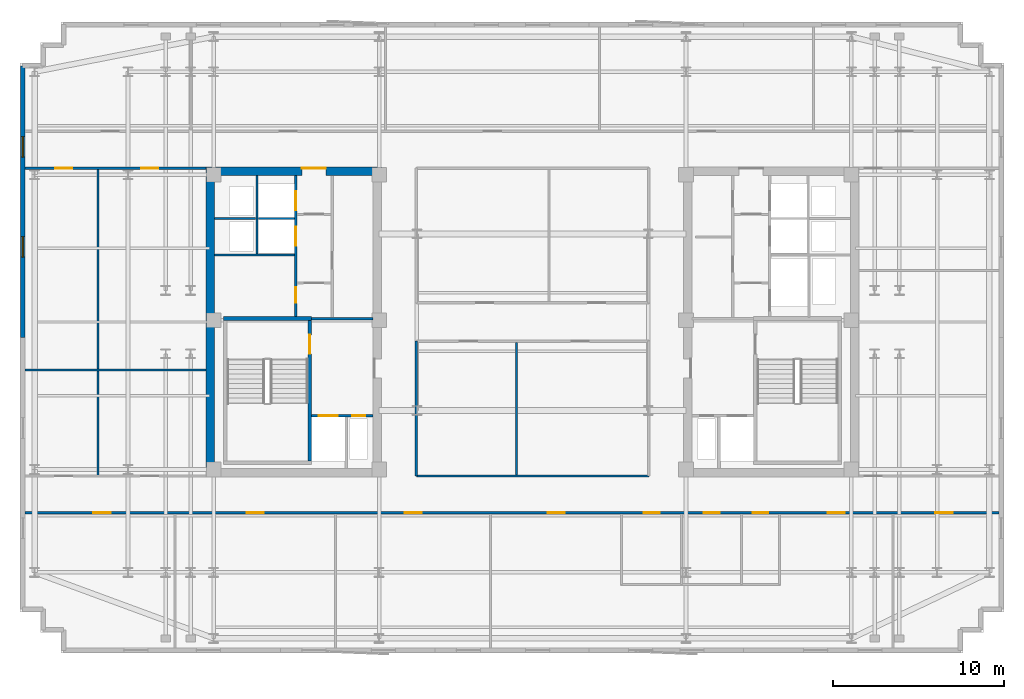
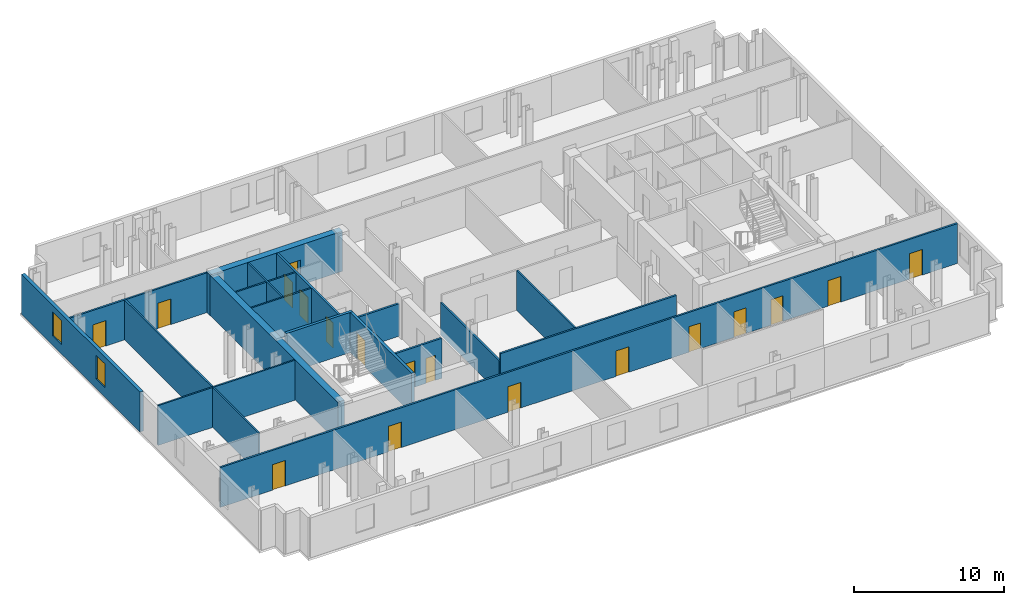
# One storey, part 4 of 9: 19 walls, 18 doors, 2 windows, 20 openings.
"""IFC4 building model written with IfcOpenShell, lengths in metres."""

from ifc_helpers import new_model, si_unit, direction, frame, frame_2d, origin, place, context, subcontext, project, spatial, rectangle, extrude, material, layer, layer_set, type_object, element, fill, save


model = new_model("IFC4")

# Units and contexts
model_context = context("Model", 3, precision=1e-05, world=origin(), true_north=direction((0.0, 1.0)))
body_context = subcontext(model_context, "Body", "Model", "MODEL_VIEW")
ifc_project = project(units=[si_unit("LENGTHUNIT", "METRE"), si_unit("AREAUNIT", "SQUARE_METRE"), si_unit("VOLUMEUNIT", "CUBIC_METRE"), si_unit("PLANEANGLEUNIT", "RADIAN"), si_unit("MASSUNIT", "GRAM", prefix="KILO")], contexts=[model_context])

# Site, building, storey
site_placement = place(None, origin())
site = spatial("IfcSite", under=ifc_project, at=site_placement, CompositionType="ELEMENT")
building_placement = place(site_placement, origin())
building = spatial("IfcBuilding", under=site, at=building_placement, Name="Velakula Bourse", CompositionType="ELEMENT")
storey_placement = place(building_placement, frame((0.0, 0.0, 218.85009765625)))
storey = spatial("IfcBuildingStorey", under=building, at=storey_placement, Name="L59", CompositionType="ELEMENT", Elevation=218.85009765625)

# Wall, opening, door
ifc_material_1 = material(Name="Concrete M50 (fck 50 MPa)", Category="concrete")
ifc_layer_1 = layer(ifc_material_1, 0.2099609375, Name="Concrete M50 (fck 50 MPa)", Category="concrete")
ifc_layer_set_1 = layer_set([ifc_layer_1], Name="Concrete M50 (fck 50 MPa)")
wall_type_1 = type_object("IfcWallType", Name="WL-CORE-210", PredefinedType="SHEAR", material=ifc_layer_set_1)
wall_1_placement = place(storey_placement, frame((-12.9951171875, -8.10009765625, 0.0), z_axis=(0.0, 0.0, 1.0), x_axis=(0.0, 1.0, 0.0)))
wall_1 = element("IfcWall", 1, at=wall_1_placement, inside=storey, type_object=wall_type_1, Name="L59 Core W Stairwell Shear Wall IN", PredefinedType="SHEAR", context=body_context, shape_type="SweptSolid", body=[
    extrude(rectangle(XDim=8.2001953125, YDim=0.2099609375, at=frame_2d((4.10009765625, 0.0))), origin(), (0.0, 0.0, 1.0), 3.27001953125),
])
opening_1_placement = place(wall_1_placement, frame((6.25, 0.0, 0.0)))
opening_1 = element("IfcOpeningElement", 2, at=opening_1_placement, cuts=wall_1, Name="Opening D-STW1", PredefinedType="OPENING", context=body_context, shape_type="SweptSolid", body=[
    extrude(rectangle(XDim=1.10009765625, YDim=2.14990234375, at=frame_2d((0.550048828125, 1.074951171875))), frame((0.0, 0.114990234375, 0.0), z_axis=(0.0, -1.0, 0.0), x_axis=(1.0, 0.0, 0.0)), (0.0, 0.0, 1.0), 0.22998046875),
])
ifc_material_2 = material(Name="Galvanised painted hollow steel fire door", Category="steel")
door_type_1 = type_object("IfcDoorType", Name="DR-FD120-1100x2150", OperationType="NOTDEFINED", PredefinedType="DOOR", material=ifc_material_2)
door_1_placement = place(opening_1_placement, origin())
door_1 = element("IfcDoor", 3, at=door_1_placement, inside=storey, type_object=door_type_1, Name="L59 Stair ST-W1 Fire Door", OperationType="SINGLE_SWING_LEFT", OverallHeight=2.14990234375, OverallWidth=1.10009765625, PredefinedType="DOOR", context=body_context, shape_type="SweptSolid", body=[
    extrude(rectangle(XDim=1.10009765625, YDim=2.14990234375, at=frame_2d((0.550048828125, 1.074951171875))), frame((0.0, 0.02490234375, 0.0), z_axis=(0.0, -1.0, 0.0), x_axis=(1.0, 0.0, 0.0)), (0.0, 0.0, 1.0), 0.050048828125),
])
fill(opening_1, door_1)

# Wall
wall_2_placement = place(storey_placement, frame((-12.889892578125, 0.205078125, 0.0), z_axis=(0.0, 0.0, 1.0), x_axis=(-1.0, 0.0, 0.0)))
element("IfcWall", 4, at=wall_2_placement, inside=storey, type_object=wall_type_1, Name="L59 Core W Stairwell Shear Wall N", PredefinedType="SHEAR", context=body_context, shape_type="SweptSolid", body=[
    extrude(rectangle(XDim=5.14013671875, YDim=0.2099609375, at=frame_2d((2.570068359375, 0.0))), origin(), (0.0, 0.0, 1.0), 3.27001953125),
])

# Wall, opening, door
ifc_layer_2 = layer(ifc_material_1, 0.5, Name="Concrete M50 (fck 50 MPa)", Category="concrete")
ifc_layer_set_2 = layer_set([ifc_layer_2], Name="Concrete M50 (fck 50 MPa)")
wall_type_2 = type_object("IfcWallType", Name="WL-CORE-500", PredefinedType="SHEAR", material=ifc_layer_set_2)
wall_3_placement = place(storey_placement, frame((-19.050048828125, 8.800048828125, 0.0), z_axis=(0.0, 0.0, 1.0), x_axis=(1.0, 0.0, 0.0)))
wall_3 = element("IfcWall", 5, at=wall_3_placement, inside=storey, type_object=wall_type_2, Name="L59 Core W Shear Wall N", PredefinedType="SHEAR", context=body_context, shape_type="SweptSolid", body=[
    extrude(rectangle(XDim=10.25, YDim=0.5, at=frame_2d((5.125, 0.0))), origin(), (0.0, 0.0, 1.0), 3.27001953125),
])
opening_2_placement = place(wall_3_placement, frame((5.60009765625, 0.0, 0.0)))
opening_2 = element("IfcOpeningElement", 6, at=opening_2_placement, cuts=wall_3, Name="Opening D-LLW", PredefinedType="OPENING", context=body_context, shape_type="SweptSolid", body=[
    extrude(rectangle(XDim=1.39990234375, YDim=2.050048828125, at=frame_2d((0.699951171875, 1.02490234375))), frame((0.0, 0.260009765625, 0.0), z_axis=(0.0, -1.0, 0.0), x_axis=(1.0, 0.0, 0.0)), (0.0, 0.0, 1.0), 0.52001953125),
])
ifc_material_3 = material(Name="Fire-rated hardwood flush architectural door", Category="wood")
door_type_2 = type_object("IfcDoorType", Name="DR-DBL-FD60-1400", OperationType="DOUBLE_DOOR_SINGLE_SWING", PredefinedType="DOOR", material=ifc_material_3)
door_2_placement = place(opening_2_placement, origin())
door_2 = element("IfcDoor", 7, at=door_2_placement, inside=storey, type_object=door_type_2, Name="L59 Core W Lift Lobby Corridor Double Door", OperationType="DOUBLE_DOOR_SINGLE_SWING", OverallHeight=2.050048828125, OverallWidth=1.39990234375, PredefinedType="DOOR", context=body_context, shape_type="SweptSolid", body=[
    extrude(rectangle(XDim=1.39990234375, YDim=2.050048828125, at=frame_2d((0.699951171875, 1.02490234375))), frame((0.0, 0.19482421875, 0.0), z_axis=(0.0, -1.0, 0.0), x_axis=(1.0, 0.0, 0.0)), (0.0, 0.0, 1.0), 0.050048828125),
])
fill(opening_2, door_2)

# Wall
wall_4_placement = place(storey_placement, frame((-18.800048828125, -8.550048828125, 0.0), z_axis=(0.0, 0.0, 1.0), x_axis=(0.0, 1.0, 0.0)))
element("IfcWall", 8, at=wall_4_placement, inside=storey, type_object=wall_type_2, Name="L59 Core W Shear Wall W", PredefinedType="SHEAR", context=body_context, shape_type="SweptSolid", body=[
    extrude(rectangle(XDim=17.10009765625, YDim=0.5, at=frame_2d((8.550048828125, 0.0))), origin(), (0.0, 0.0, 1.0), 3.27001953125),
])

# Wall, openings, windows
ifc_material_4 = material(Name="Buff kilned clay facing brick masonry", Category="masonry")
ifc_layer_3 = layer(ifc_material_4, 0.260009765625, Name="Buff kilned clay facing brick masonry", Category="masonry")
ifc_layer_set_3 = layer_set([ifc_layer_3], Name="Buff kilned clay facing brick masonry")
wall_type_3 = type_object("IfcWallType", Name="WL-EXT-BRK-260", PredefinedType="STANDARD", material=ifc_layer_set_3)
wall_5_placement = place(storey_placement, frame((-29.75, -0.89990234375, 0.0), z_axis=(0.0, 0.0, 1.0), x_axis=(0.0, 1.0, 0.0)))
wall_5 = element("IfcWall", 9, at=wall_5_placement, inside=storey, type_object=wall_type_3, Name="L59 W Brick End Wall W2", PredefinedType="STANDARD", context=body_context, shape_type="SweptSolid", body=[
    extrude(rectangle(XDim=15.849853515625, YDim=0.260009765625, at=frame_2d((7.9248046875, 0.0))), origin(), (0.0, 0.0, 1.0), 3.25),
])
opening_3_placement = place(wall_5_placement, frame((4.683349609375, 0.0, 0.760009765625)))
opening_3 = element("IfcOpeningElement", 10, at=opening_3_placement, cuts=wall_5, Name="Opening W-04", PredefinedType="OPENING", context=body_context, shape_type="SweptSolid", body=[
    extrude(rectangle(XDim=1.199951171875, YDim=1.949951171875, at=frame_2d((0.60009765625, 0.97509765625))), frame((0.0, 0.139892578125, 0.0), z_axis=(0.0, -1.0, 0.0), x_axis=(1.0, 0.0, 0.0)), (0.0, 0.0, 1.0), 0.280029296875),
])
opening_4_placement = place(wall_5_placement, frame((10.5166015625, 0.0, 0.760009765625)))
opening_4 = element("IfcOpeningElement", 11, at=opening_4_placement, cuts=wall_5, Name="Opening W-04", PredefinedType="OPENING", context=body_context, shape_type="SweptSolid", body=[
    extrude(rectangle(XDim=1.199951171875, YDim=1.949951171875, at=frame_2d((0.60009765625, 0.97509765625))), frame((0.0, 0.139892578125, 0.0), z_axis=(0.0, -1.0, 0.0), x_axis=(1.0, 0.0, 0.0)), (0.0, 0.0, 1.0), 0.280029296875),
])
ifc_material_5 = material(Name="Double-glazed solar-control Low-E glass", Category="glass")
window_type = type_object("IfcWindowType", Name="WIN-TWR-1200x2100", PartitioningType="SINGLE_PANEL", PredefinedType="WINDOW", material=ifc_material_5)
window_1_placement = place(opening_3_placement, origin())
window_1 = element("IfcWindow", 12, at=window_1_placement, inside=storey, type_object=window_type, Name="L59 Deep-Set Recessed Window 1", OverallHeight=1.949951171875, OverallWidth=1.199951171875, PartitioningType="SINGLE_PANEL", PredefinedType="WINDOW", context=body_context, shape_type="SweptSolid", body=[
    extrude(rectangle(XDim=1.199951171875, YDim=1.949951171875, at=frame_2d((0.60009765625, 0.97509765625))), frame((0.0, 0.030029296875, 0.0), z_axis=(0.0, -1.0, 0.0), x_axis=(1.0, 0.0, 0.0)), (0.0, 0.0, 1.0), 0.06005859375),
])
fill(opening_3, window_1)
window_2_placement = place(opening_4_placement, origin())
window_2 = element("IfcWindow", 13, at=window_2_placement, inside=storey, type_object=window_type, Name="L59 Deep-Set Recessed Window 2", OverallHeight=1.949951171875, OverallWidth=1.199951171875, PartitioningType="SINGLE_PANEL", PredefinedType="WINDOW", context=body_context, shape_type="SweptSolid", body=[
    extrude(rectangle(XDim=1.199951171875, YDim=1.949951171875, at=frame_2d((0.60009765625, 0.97509765625))), frame((0.0, 0.030029296875, 0.0), z_axis=(0.0, -1.0, 0.0), x_axis=(1.0, 0.0, 0.0)), (0.0, 0.0, 1.0), 0.06005859375),
])
fill(opening_4, window_2)

# Walls
ifc_material_6 = material(Name="Fire-rated double-layer gypsum drywall partition", Category="gypsum")
ifc_layer_4 = layer(ifc_material_6, 0.1201171875, Name="Fire-rated double-layer gypsum drywall partition", Category="gypsum")
ifc_layer_set_4 = layer_set([ifc_layer_4], Name="Fire-rated double-layer gypsum drywall partition")
wall_type_4 = type_object("IfcWallType", Name="WL-PART-120", PredefinedType="STANDARD", material=ifc_layer_set_4)
wall_6_placement = place(storey_placement, frame((-18.550048828125, 3.919921875, 0.0), z_axis=(0.0, 0.0, 1.0), x_axis=(1.0, 0.0, 0.0)))
element("IfcWall", 14, at=wall_6_placement, inside=storey, type_object=wall_type_4, Name="L59 Interior Partition WL-CRW-L59-HI-S", PredefinedType="STANDARD", context=body_context, shape_type="SweptSolid", body=[
    extrude(rectangle(XDim=4.650146484375, YDim=0.1201171875, at=frame_2d((2.3251953125, 0.0))), origin(), (0.0, 0.0, 1.0), 3.25),
])
wall_7_placement = place(storey_placement, frame((-18.550048828125, 6.030029296875, 0.0), z_axis=(0.0, 0.0, 1.0), x_axis=(1.0, 0.0, 0.0)))
element("IfcWall", 15, at=wall_7_placement, inside=storey, type_object=wall_type_4, Name="L59 Interior Partition WL-CRW-L59-RIS-MID", PredefinedType="STANDARD", context=body_context, shape_type="SweptSolid", body=[
    extrude(rectangle(XDim=2.400146484375, YDim=0.1201171875, at=frame_2d((1.2001953125, 0.0))), origin(), (0.0, 0.0, 1.0), 3.25),
])
wall_8_placement = place(storey_placement, frame((-16.074951171875, 3.97998046875, 0.0), z_axis=(0.0, 0.0, 1.0), x_axis=(0.0, 1.0, 0.0)))
element("IfcWall", 16, at=wall_8_placement, inside=storey, type_object=wall_type_4, Name="L59 Interior Partition WL-CRW-L59-RIS-F", PredefinedType="STANDARD", context=body_context, shape_type="SweptSolid", body=[
    extrude(rectangle(XDim=4.570068359375, YDim=0.1201171875, at=frame_2d((2.28515625, 0.0))), origin(), (0.0, 0.0, 1.0), 3.25),
])
wall_9_placement = place(storey_placement, frame((-16.0, 6.030029296875, 0.0), z_axis=(0.0, 0.0, 1.0), x_axis=(1.0, 0.0, 0.0)))
element("IfcWall", 17, at=wall_9_placement, inside=storey, type_object=wall_type_4, Name="L59 Interior Partition WL-CRW-L59-HI-DIV", PredefinedType="STANDARD", context=body_context, shape_type="SweptSolid", body=[
    extrude(rectangle(XDim=2.10009765625, YDim=0.1201171875, at=frame_2d((1.050048828125, 0.0))), origin(), (0.0, 0.0, 1.0), 3.25),
])
wall_10_placement = place(storey_placement, frame((-29.6201171875, -2.800048828125, 0.0), z_axis=(0.0, 0.0, 1.0), x_axis=(1.0, 0.0, 0.0)))
element("IfcWall", 18, at=wall_10_placement, inside=storey, type_object=wall_type_4, Name="L59 Interior Partition WL-INT-L59-W-H", PredefinedType="STANDARD", context=body_context, shape_type="SweptSolid", body=[
    extrude(rectangle(XDim=10.570068359375, YDim=0.1201171875, at=frame_2d((5.28515625, 0.0))), origin(), (0.0, 0.0, 1.0), 3.25),
])
wall_11_placement = place(storey_placement, frame((-25.35498046875, -8.97998046875, 0.0), z_axis=(0.0, 0.0, 1.0), x_axis=(0.0, 1.0, 0.0)))
element("IfcWall", 19, at=wall_11_placement, inside=storey, type_object=wall_type_4, Name="L59 Interior Partition WL-INT-L59-W-V1", PredefinedType="STANDARD", context=body_context, shape_type="SweptSolid", body=[
    extrude(rectangle(XDim=17.9599609375, YDim=0.1201171875, at=frame_2d((8.97998046875, 0.0))), origin(), (0.0, 0.0, 1.0), 3.25),
])

# Wall, openings, doors
ifc_layer_5 = layer(ifc_material_6, 0.139892578125, Name="Fire-rated double-layer gypsum drywall partition", Category="gypsum")
ifc_layer_set_5 = layer_set([ifc_layer_5], Name="Fire-rated double-layer gypsum drywall partition")
wall_type_5 = type_object("IfcWallType", Name="WL-PART-140", PredefinedType="STANDARD", material=ifc_layer_set_5)
wall_12_placement = place(storey_placement, frame((-29.6201171875, -11.1201171875, 0.0), z_axis=(0.0, 0.0, 1.0), x_axis=(1.0, 0.0, 0.0)))
wall_12 = element("IfcWall", 20, at=wall_12_placement, inside=storey, type_object=wall_type_5, Name="L59 Interior Partition WL-INT-L59-S-CORR", PredefinedType="STANDARD", context=body_context, shape_type="SweptSolid", body=[
    extrude(rectangle(XDim=56.840087890625, YDim=0.139892578125, at=frame_2d((28.419921875, 0.0))), origin(), (0.0, 0.0, 1.0), 3.25),
])
opening_5_placement = place(wall_12_placement, frame((36.110107421875, 0.0, 0.0)))
opening_5 = element("IfcOpeningElement", 21, at=opening_5_placement, cuts=wall_12, Name="Opening D-WT1", PredefinedType="OPENING", context=body_context, shape_type="SweptSolid", body=[
    extrude(rectangle(XDim=0.919921875, YDim=2.080078125, at=frame_2d((0.4599609375, 1.0400390625))), frame((0.0, 0.079833984375, 0.0), z_axis=(0.0, -1.0, 0.0), x_axis=(1.0, 0.0, 0.0)), (0.0, 0.0, 1.0), 0.159912109375),
])
opening_6_placement = place(wall_12_placement, frame((39.610107421875, 0.0, 0.0)))
opening_6 = element("IfcOpeningElement", 22, at=opening_6_placement, cuts=wall_12, Name="Opening D-WT1", PredefinedType="OPENING", context=body_context, shape_type="SweptSolid", body=[
    extrude(rectangle(XDim=0.919921875, YDim=2.080078125, at=frame_2d((0.4599609375, 1.0400390625))), frame((0.0, 0.079833984375, 0.0), z_axis=(0.0, -1.0, 0.0), x_axis=(1.0, 0.0, 0.0)), (0.0, 0.0, 1.0), 0.159912109375),
])
opening_7_placement = place(wall_12_placement, frame((42.4599609375, 0.0, 0.0)))
opening_7 = element("IfcOpeningElement", 23, at=opening_7_placement, cuts=wall_12, Name="Opening D-WC1", PredefinedType="OPENING", context=body_context, shape_type="SweptSolid", body=[
    extrude(rectangle(XDim=0.919921875, YDim=2.080078125, at=frame_2d((0.4599609375, 1.0400390625))), frame((0.0, 0.079833984375, 0.0), z_axis=(0.0, -1.0, 0.0), x_axis=(1.0, 0.0, 0.0)), (0.0, 0.0, 1.0), 0.159912109375),
])
opening_8_placement = place(wall_12_placement, frame((4.0009765625, 0.0, 0.0)))
opening_8 = element("IfcOpeningElement", 24, at=opening_8_placement, cuts=wall_12, Name="Opening D-OF1", PredefinedType="OPENING", context=body_context, shape_type="SweptSolid", body=[
    extrude(rectangle(XDim=1.0, YDim=2.080078125, at=frame_2d((0.5, 1.0400390625))), frame((0.0, 0.079833984375, 0.0), z_axis=(0.0, -1.0, 0.0), x_axis=(1.0, 0.0, 0.0)), (0.0, 0.0, 1.0), 0.159912109375),
])
opening_9_placement = place(wall_12_placement, frame((12.9423828125, 0.0, 0.0)))
opening_9 = element("IfcOpeningElement", 25, at=opening_9_placement, cuts=wall_12, Name="Opening D-OF1", PredefinedType="OPENING", context=body_context, shape_type="SweptSolid", body=[
    extrude(rectangle(XDim=1.0, YDim=2.080078125, at=frame_2d((0.5, 1.0400390625))), frame((0.0, 0.079833984375, 0.0), z_axis=(0.0, -1.0, 0.0), x_axis=(1.0, 0.0, 0.0)), (0.0, 0.0, 1.0), 0.159912109375),
])
opening_10_placement = place(wall_12_placement, frame((22.154052734375, 0.0, 0.0)))
opening_10 = element("IfcOpeningElement", 26, at=opening_10_placement, cuts=wall_12, Name="Opening D-OF1", PredefinedType="OPENING", context=body_context, shape_type="SweptSolid", body=[
    extrude(rectangle(XDim=1.0, YDim=2.080078125, at=frame_2d((0.5, 1.0400390625))), frame((0.0, 0.079833984375, 0.0), z_axis=(0.0, -1.0, 0.0), x_axis=(1.0, 0.0, 0.0)), (0.0, 0.0, 1.0), 0.159912109375),
])
opening_11_placement = place(wall_12_placement, frame((30.49658203125, 0.0, 0.0)))
opening_11 = element("IfcOpeningElement", 27, at=opening_11_placement, cuts=wall_12, Name="Opening D-OF1", PredefinedType="OPENING", context=body_context, shape_type="SweptSolid", body=[
    extrude(rectangle(XDim=1.0, YDim=2.080078125, at=frame_2d((0.5, 1.0400390625))), frame((0.0, 0.079833984375, 0.0), z_axis=(0.0, -1.0, 0.0), x_axis=(1.0, 0.0, 0.0)), (0.0, 0.0, 1.0), 0.159912109375),
])
opening_12_placement = place(wall_12_placement, frame((46.83740234375, 0.0, 0.0)))
opening_12 = element("IfcOpeningElement", 28, at=opening_12_placement, cuts=wall_12, Name="Opening D-OF1", PredefinedType="OPENING", context=body_context, shape_type="SweptSolid", body=[
    extrude(rectangle(XDim=1.0, YDim=2.080078125, at=frame_2d((0.5, 1.0400390625))), frame((0.0, 0.079833984375, 0.0), z_axis=(0.0, -1.0, 0.0), x_axis=(1.0, 0.0, 0.0)), (0.0, 0.0, 1.0), 0.159912109375),
])
opening_13_placement = place(wall_12_placement, frame((53.12158203125, 0.0, 0.0)))
opening_13 = element("IfcOpeningElement", 29, at=opening_13_placement, cuts=wall_12, Name="Opening D-OF1", PredefinedType="OPENING", context=body_context, shape_type="SweptSolid", body=[
    extrude(rectangle(XDim=1.0, YDim=2.080078125, at=frame_2d((0.5, 1.0400390625))), frame((0.0, 0.079833984375, 0.0), z_axis=(0.0, -1.0, 0.0), x_axis=(1.0, 0.0, 0.0)), (0.0, 0.0, 1.0), 0.159912109375),
])
door_type_3 = type_object("IfcDoorType", Name="DR-OFF-1000", OperationType="NOTDEFINED", PredefinedType="DOOR", material=ifc_material_3)
door_3_placement = place(opening_8_placement, origin())
door_3 = element("IfcDoor", 30, at=door_3_placement, inside=storey, type_object=door_type_3, Name="L59 Traders Bistro Restaurant Door", OperationType="SINGLE_SWING_LEFT", OverallHeight=2.080078125, OverallWidth=1.0, PredefinedType="DOOR", context=body_context, shape_type="SweptSolid", body=[
    extrude(rectangle(XDim=1.0, YDim=2.080078125, at=frame_2d((0.5, 1.0400390625))), frame((0.0, 0.02490234375, 0.0), z_axis=(0.0, -1.0, 0.0), x_axis=(1.0, 0.0, 0.0)), (0.0, 0.0, 1.0), 0.050048828125),
])
fill(opening_8, door_3)
door_4_placement = place(opening_9_placement, origin())
door_4 = element("IfcDoor", 31, at=door_4_placement, inside=storey, type_object=door_type_3, Name="L59 Margin Control Office Door", OperationType="SINGLE_SWING_RIGHT", OverallHeight=2.080078125, OverallWidth=1.0, PredefinedType="DOOR", context=body_context, shape_type="SweptSolid", body=[
    extrude(rectangle(XDim=1.0, YDim=2.080078125, at=frame_2d((0.5, 1.0400390625))), frame((0.0, 0.02490234375, 0.0), z_axis=(0.0, -1.0, 0.0), x_axis=(1.0, 0.0, 0.0)), (0.0, 0.0, 1.0), 0.050048828125),
])
fill(opening_9, door_4)
door_5_placement = place(opening_10_placement, origin())
door_5 = element("IfcDoor", 32, at=door_5_placement, inside=storey, type_object=door_type_3, Name="L59 Clearing Committee Room Door", OperationType="SINGLE_SWING_LEFT", OverallHeight=2.080078125, OverallWidth=1.0, PredefinedType="DOOR", context=body_context, shape_type="SweptSolid", body=[
    extrude(rectangle(XDim=1.0, YDim=2.080078125, at=frame_2d((0.5, 1.0400390625))), frame((0.0, 0.02490234375, 0.0), z_axis=(0.0, -1.0, 0.0), x_axis=(1.0, 0.0, 0.0)), (0.0, 0.0, 1.0), 0.050048828125),
])
fill(opening_10, door_5)
door_6_placement = place(opening_11_placement, origin())
door_6 = element("IfcDoor", 33, at=door_6_placement, inside=storey, type_object=door_type_3, Name="L59 Tea Room Kitchenette Door", OperationType="SINGLE_SWING_RIGHT", OverallHeight=2.080078125, OverallWidth=1.0, PredefinedType="DOOR", context=body_context, shape_type="SweptSolid", body=[
    extrude(rectangle(XDim=1.0, YDim=2.080078125, at=frame_2d((0.5, 1.0400390625))), frame((0.0, 0.02490234375, 0.0), z_axis=(0.0, -1.0, 0.0), x_axis=(1.0, 0.0, 0.0)), (0.0, 0.0, 1.0), 0.050048828125),
])
fill(opening_11, door_6)
door_7_placement = place(opening_12_placement, origin())
door_7 = element("IfcDoor", 34, at=door_7_placement, inside=storey, type_object=door_type_3, Name="L59 Market Data Feed Workspace Door", OperationType="SINGLE_SWING_LEFT", OverallHeight=2.080078125, OverallWidth=1.0, PredefinedType="DOOR", context=body_context, shape_type="SweptSolid", body=[
    extrude(rectangle(XDim=1.0, YDim=2.080078125, at=frame_2d((0.5, 1.0400390625))), frame((0.0, 0.02490234375, 0.0), z_axis=(0.0, -1.0, 0.0), x_axis=(1.0, 0.0, 0.0)), (0.0, 0.0, 1.0), 0.050048828125),
])
fill(opening_12, door_7)
door_8_placement = place(opening_13_placement, origin())
door_8 = element("IfcDoor", 35, at=door_8_placement, inside=storey, type_object=door_type_3, Name="L59 Bullion Assay Office Door", OperationType="SINGLE_SWING_RIGHT", OverallHeight=2.080078125, OverallWidth=1.0, PredefinedType="DOOR", context=body_context, shape_type="SweptSolid", body=[
    extrude(rectangle(XDim=1.0, YDim=2.080078125, at=frame_2d((0.5, 1.0400390625))), frame((0.0, 0.02490234375, 0.0), z_axis=(0.0, -1.0, 0.0), x_axis=(1.0, 0.0, 0.0)), (0.0, 0.0, 1.0), 0.050048828125),
])
fill(opening_13, door_8)
door_type_4 = type_object("IfcDoorType", Name="DR-WC-950", OperationType="NOTDEFINED", PredefinedType="DOOR", material=ifc_material_3)
door_9_placement = place(opening_5_placement, origin())
door_9 = element("IfcDoor", 36, at=door_9_placement, inside=storey, type_object=door_type_4, Name="L59 Male Staff Toilet Door", OperationType="SINGLE_SWING_RIGHT", OverallHeight=2.080078125, OverallWidth=0.919921875, PredefinedType="DOOR", context=body_context, shape_type="SweptSolid", body=[
    extrude(rectangle(XDim=0.919921875, YDim=2.080078125, at=frame_2d((0.4599609375, 1.0400390625))), frame((0.0, 0.02490234375, 0.0), z_axis=(0.0, -1.0, 0.0), x_axis=(1.0, 0.0, 0.0)), (0.0, 0.0, 1.0), 0.050048828125),
])
fill(opening_5, door_9)
door_10_placement = place(opening_6_placement, origin())
door_10 = element("IfcDoor", 37, at=door_10_placement, inside=storey, type_object=door_type_4, Name="L59 Female Staff Toilet Door", OperationType="SINGLE_SWING_LEFT", OverallHeight=2.080078125, OverallWidth=0.919921875, PredefinedType="DOOR", context=body_context, shape_type="SweptSolid", body=[
    extrude(rectangle(XDim=0.919921875, YDim=2.080078125, at=frame_2d((0.4599609375, 1.0400390625))), frame((0.0, 0.02490234375, 0.0), z_axis=(0.0, -1.0, 0.0), x_axis=(1.0, 0.0, 0.0)), (0.0, 0.0, 1.0), 0.050048828125),
])
fill(opening_6, door_10)
door_11_placement = place(opening_7_placement, origin())
door_11 = element("IfcDoor", 38, at=door_11_placement, inside=storey, type_object=door_type_4, Name="L59 Accessible WC Door", OperationType="SINGLE_SWING_RIGHT", OverallHeight=2.080078125, OverallWidth=0.919921875, PredefinedType="DOOR", context=body_context, shape_type="SweptSolid", body=[
    extrude(rectangle(XDim=0.919921875, YDim=2.080078125, at=frame_2d((0.4599609375, 1.0400390625))), frame((0.0, 0.02490234375, 0.0), z_axis=(0.0, -1.0, 0.0), x_axis=(1.0, 0.0, 0.0)), (0.0, 0.0, 1.0), 0.050048828125),
])
fill(opening_7, door_11)

wall_13_placement = place(storey_placement, frame((-29.6201171875, 8.97998046875, 0.0), z_axis=(0.0, 0.0, 1.0), x_axis=(1.0, 0.0, 0.0)))
wall_13 = element("IfcWall", 39, at=wall_13_placement, inside=storey, type_object=wall_type_5, Name="L59 Interior Partition WL-INT-L59-W-NC", PredefinedType="STANDARD", context=body_context, shape_type="SweptSolid", body=[
    extrude(rectangle(XDim=10.570068359375, YDim=0.139892578125, at=frame_2d((5.28515625, 0.0))), origin(), (0.0, 0.0, 1.0), 3.25),
])
opening_14_placement = place(wall_13_placement, frame((1.762451171875, 0.0, 0.0)))
opening_14 = element("IfcOpeningElement", 40, at=opening_14_placement, cuts=wall_13, Name="Opening D-OF1", PredefinedType="OPENING", context=body_context, shape_type="SweptSolid", body=[
    extrude(rectangle(XDim=1.0, YDim=2.080078125, at=frame_2d((0.5, 1.0400390625))), frame((0.0, 0.079833984375, 0.0), z_axis=(0.0, -1.0, 0.0), x_axis=(1.0, 0.0, 0.0)), (0.0, 0.0, 1.0), 0.159912109375),
])
opening_15_placement = place(wall_13_placement, frame((6.78759765625, 0.0, 0.0)))
opening_15 = element("IfcOpeningElement", 41, at=opening_15_placement, cuts=wall_13, Name="Opening D-OF1", PredefinedType="OPENING", context=body_context, shape_type="SweptSolid", body=[
    extrude(rectangle(XDim=1.0, YDim=2.080078125, at=frame_2d((0.5, 1.0400390625))), frame((0.0, 0.079833984375, 0.0), z_axis=(0.0, -1.0, 0.0), x_axis=(1.0, 0.0, 0.0)), (0.0, 0.0, 1.0), 0.159912109375),
])
door_12_placement = place(opening_14_placement, origin())
door_12 = element("IfcDoor", 42, at=door_12_placement, inside=storey, type_object=door_type_3, Name="L59 Bullion Assay Office Door", OperationType="SINGLE_SWING_LEFT", OverallHeight=2.080078125, OverallWidth=1.0, PredefinedType="DOOR", context=body_context, shape_type="SweptSolid", body=[
    extrude(rectangle(XDim=1.0, YDim=2.080078125, at=frame_2d((0.5, 1.0400390625))), frame((0.0, 0.02490234375, 0.0), z_axis=(0.0, -1.0, 0.0), x_axis=(1.0, 0.0, 0.0)), (0.0, 0.0, 1.0), 0.050048828125),
])
fill(opening_14, door_12)
door_13_placement = place(opening_15_placement, origin())
door_13 = element("IfcDoor", 43, at=door_13_placement, inside=storey, type_object=door_type_3, Name="L59 Executive Boardroom Door", OperationType="SINGLE_SWING_RIGHT", OverallHeight=2.080078125, OverallWidth=1.0, PredefinedType="DOOR", context=body_context, shape_type="SweptSolid", body=[
    extrude(rectangle(XDim=1.0, YDim=2.080078125, at=frame_2d((0.5, 1.0400390625))), frame((0.0, 0.02490234375, 0.0), z_axis=(0.0, -1.0, 0.0), x_axis=(1.0, 0.0, 0.0)), (0.0, 0.0, 1.0), 0.050048828125),
])
fill(opening_15, door_13)

# Walls
wall_14_placement = place(storey_placement, frame((-6.780029296875, -8.97998046875, 0.0), z_axis=(0.0, 0.0, 1.0), x_axis=(1.0, 0.0, 0.0)))
element("IfcWall", 44, at=wall_14_placement, inside=storey, type_object=wall_type_5, Name="L59 Interior Partition WL-INT-L59-MS-OUT", PredefinedType="STANDARD", context=body_context, shape_type="SweptSolid", body=[
    extrude(rectangle(XDim=13.56005859375, YDim=0.139892578125, at=frame_2d((6.780029296875, 0.0))), origin(), (0.0, 0.0, 1.0), 3.25),
])
wall_15_placement = place(storey_placement, frame((-6.780029296875, -8.97998046875, 0.0), z_axis=(0.0, 0.0, 1.0), x_axis=(0.0, 1.0, 0.0)))
element("IfcWall", 45, at=wall_15_placement, inside=storey, type_object=wall_type_5, Name="L59 Interior Partition WL-INT-L59-MS-W", PredefinedType="STANDARD", context=body_context, shape_type="SweptSolid", body=[
    extrude(rectangle(XDim=7.85986328125, YDim=0.139892578125, at=frame_2d((3.929931640625, 0.0))), origin(), (0.0, 0.0, 1.0), 2.64501953125),
])
wall_16_placement = place(storey_placement, frame((-0.949951171875, -8.909912109375, 0.0), z_axis=(0.0, 0.0, 1.0), x_axis=(0.0, 1.0, 0.0)))
element("IfcWall", 46, at=wall_16_placement, inside=storey, type_object=wall_type_5, Name="L59 Interior Partition WL-INT-L59-MS-V1", PredefinedType="STANDARD", context=body_context, shape_type="SweptSolid", body=[
    extrude(rectangle(XDim=7.719970703125, YDim=0.1201171875, at=frame_2d((3.85986328125, 0.0))), origin(), (0.0, 0.0, 1.0), 3.25),
])

# Wall, openings, doors
ifc_material_7 = material(Name="Autoclaved aerated concrete blockwork masonry", Category="masonry")
ifc_layer_6 = layer(ifc_material_7, 0.14990234375, Name="Autoclaved aerated concrete blockwork masonry", Category="masonry")
ifc_layer_set_6 = layer_set([ifc_layer_6], Name="Autoclaved aerated concrete blockwork masonry")
wall_type_6 = type_object("IfcWallType", Name="WL-SHAFT-150", PredefinedType="STANDARD", material=ifc_layer_set_6)
wall_17_placement = place(storey_placement, frame((-12.89501953125, -5.47509765625, 0.0), z_axis=(0.0, 0.0, 1.0), x_axis=(1.0, 0.0, 0.0)))
wall_17 = element("IfcWall", 47, at=wall_17_placement, inside=storey, type_object=wall_type_6, Name="L59 Interior Partition WL-CRW-L59-FFL-N", PredefinedType="STANDARD", context=body_context, shape_type="SweptSolid", body=[
    extrude(rectangle(XDim=3.594970703125, YDim=0.14990234375, at=frame_2d((1.79736328125, 0.0))), origin(), (0.0, 0.0, 1.0), 3.25),
])
opening_16_placement = place(wall_17_placement, frame((0.419921875, 0.0, 0.0)))
opening_16 = element("IfcOpeningElement", 48, at=opening_16_placement, cuts=wall_17, Name="Opening LD-FFL-1", PredefinedType="OPENING", context=body_context, shape_type="SweptSolid", body=[
    extrude(rectangle(XDim=1.10009765625, YDim=2.14990234375, at=frame_2d((0.550048828125, 1.074951171875))), frame((0.0, 0.0849609375, 0.0), z_axis=(0.0, -1.0, 0.0), x_axis=(1.0, 0.0, 0.0)), (0.0, 0.0, 1.0), 0.169921875),
])
opening_17_placement = place(wall_17_placement, frame((2.3701171875, 0.0, 0.0)))
opening_17 = element("IfcOpeningElement", 49, at=opening_17_placement, cuts=wall_17, Name="Opening D-RS1", PredefinedType="OPENING", context=body_context, shape_type="SweptSolid", body=[
    extrude(rectangle(XDim=0.75, YDim=2.050048828125, at=frame_2d((0.375, 1.02490234375))), frame((0.0, 0.0849609375, 0.0), z_axis=(0.0, -1.0, 0.0), x_axis=(1.0, 0.0, 0.0)), (0.0, 0.0, 1.0), 0.169921875),
])
door_type_5 = type_object("IfcDoorType", Name="DR-RISER-800", OperationType="NOTDEFINED", PredefinedType="DOOR", material=ifc_material_2)
door_14_placement = place(opening_17_placement, origin())
door_14 = element("IfcDoor", 50, at=door_14_placement, inside=storey, type_object=door_type_5, Name="L59 Fire Riser Access Door", OperationType="SINGLE_SWING_LEFT", OverallHeight=2.050048828125, OverallWidth=0.75, PredefinedType="DOOR", context=body_context, shape_type="SweptSolid", body=[
    extrude(rectangle(XDim=0.75, YDim=2.050048828125, at=frame_2d((0.375, 1.02490234375))), frame((0.0, 0.02490234375, 0.0), z_axis=(0.0, -1.0, 0.0), x_axis=(1.0, 0.0, 0.0)), (0.0, 0.0, 1.0), 0.050048828125),
])
fill(opening_17, door_14)
ifc_material_8 = material(Name="Brushed grade 316 stainless steel", Category="steel")
door_type_6 = type_object("IfcDoorType", Name="DR-SLIDE-FFL-1100", OperationType="DOUBLE_DOOR_SLIDING", PredefinedType="DOOR", material=ifc_material_8)
door_15_placement = place(opening_16_placement, origin())
door_15 = element("IfcDoor", 51, at=door_15_placement, inside=storey, type_object=door_type_6, Name="L59 Firefighting Lift FFL-1 Sliding Landing Door", OperationType="DOUBLE_DOOR_SLIDING", OverallHeight=2.14990234375, OverallWidth=1.10009765625, PredefinedType="DOOR", context=body_context, shape_type="SweptSolid", body=[
    extrude(rectangle(XDim=1.10009765625, YDim=2.14990234375, at=frame_2d((0.550048828125, 1.074951171875))), frame((0.0, 0.02490234375, 0.0), z_axis=(0.0, -1.0, 0.0), x_axis=(1.0, 0.0, 0.0)), (0.0, 0.0, 1.0), 0.050048828125),
])
fill(opening_16, door_15)

# Wall
wall_18_placement = place(storey_placement, frame((-12.889892578125, 0.18994140625, 0.0), z_axis=(0.0, 0.0, 1.0), x_axis=(1.0, 0.0, 0.0)))
element("IfcWall", 52, at=wall_18_placement, inside=storey, type_object=wall_type_6, Name="L59 Interior Partition WL-CRW-L59-FF-TOP", PredefinedType="STANDARD", context=body_context, shape_type="SweptSolid", body=[
    extrude(rectangle(XDim=3.58984375, YDim=0.14990234375, at=frame_2d((1.794921875, 0.0))), origin(), (0.0, 0.0, 1.0), 2.64501953125),
])

# Wall, openings, doors
wall_19_placement = place(storey_placement, frame((-13.824951171875, 0.27001953125, 0.0), z_axis=(0.0, 0.0, 1.0), x_axis=(0.0, 1.0, 0.0)))
wall_19 = element("IfcWall", 53, at=wall_19_placement, inside=storey, type_object=wall_type_6, Name="L59 Interior Partition WL-CRW-L59-OUT-F", PredefinedType="STANDARD", context=body_context, shape_type="SweptSolid", body=[
    extrude(rectangle(XDim=8.280029296875, YDim=0.14990234375, at=frame_2d((4.14013671875, 0.0))), origin(), (0.0, 0.0, 1.0), 3.25),
])
opening_18_placement = place(wall_19_placement, frame((4.175048828125, 0.0, 0.0)))
opening_18 = element("IfcOpeningElement", 54, at=opening_18_placement, cuts=wall_19, Name="Opening LD-P9", PredefinedType="OPENING", context=body_context, shape_type="SweptSolid", body=[
    extrude(rectangle(XDim=1.10009765625, YDim=2.10009765625, at=frame_2d((0.550048828125, 1.050048828125))), frame((0.0, 0.0849609375, 0.0), z_axis=(0.0, -1.0, 0.0), x_axis=(1.0, 0.0, 0.0)), (0.0, 0.0, 1.0), 0.169921875),
])
opening_19_placement = place(wall_19_placement, frame((6.2451171875, 0.0, 0.0)))
opening_19 = element("IfcOpeningElement", 55, at=opening_19_placement, cuts=wall_19, Name="Opening LD-P10", PredefinedType="OPENING", context=body_context, shape_type="SweptSolid", body=[
    extrude(rectangle(XDim=1.10009765625, YDim=2.10009765625, at=frame_2d((0.550048828125, 1.050048828125))), frame((0.0, 0.0849609375, 0.0), z_axis=(0.0, -1.0, 0.0), x_axis=(1.0, 0.0, 0.0)), (0.0, 0.0, 1.0), 0.169921875),
])
opening_20_placement = place(wall_19_placement, frame((0.85009765625, 0.0, 0.0)))
opening_20 = element("IfcOpeningElement", 56, at=opening_20_placement, cuts=wall_19, Name="Opening D-CR3", PredefinedType="OPENING", context=body_context, shape_type="SweptSolid", body=[
    extrude(rectangle(XDim=0.89990234375, YDim=2.050048828125, at=frame_2d((0.449951171875, 1.02490234375))), frame((0.0, 0.0849609375, 0.0), z_axis=(0.0, -1.0, 0.0), x_axis=(1.0, 0.0, 0.0)), (0.0, 0.0, 1.0), 0.169921875),
])
door_type_7 = type_object("IfcDoorType", Name="DR-INT-900", OperationType="NOTDEFINED", PredefinedType="DOOR", material=ifc_material_3)
door_16_placement = place(opening_20_placement, origin())
door_16 = element("IfcDoor", 57, at=door_16_placement, inside=storey, type_object=door_type_7, Name="L59 Core Stationery and Mail Room Door", OperationType="SINGLE_SWING_RIGHT", OverallHeight=2.050048828125, OverallWidth=0.89990234375, PredefinedType="DOOR", context=body_context, shape_type="SweptSolid", body=[
    extrude(rectangle(XDim=0.89990234375, YDim=2.050048828125, at=frame_2d((0.449951171875, 1.02490234375))), frame((0.0, 0.02490234375, 0.0), z_axis=(0.0, -1.0, 0.0), x_axis=(1.0, 0.0, 0.0)), (0.0, 0.0, 1.0), 0.050048828125),
])
fill(opening_20, door_16)
door_type_8 = type_object("IfcDoorType", Name="DR-SLIDE-LD-1100", OperationType="DOUBLE_DOOR_SLIDING", PredefinedType="DOOR", material=ifc_material_8)
door_17_placement = place(opening_18_placement, origin())
door_17 = element("IfcDoor", 58, at=door_17_placement, inside=storey, type_object=door_type_8, Name="L59 Passenger Lift P9 Sliding Landing Door", OperationType="DOUBLE_DOOR_SLIDING", OverallHeight=2.10009765625, OverallWidth=1.10009765625, PredefinedType="DOOR", context=body_context, shape_type="SweptSolid", body=[
    extrude(rectangle(XDim=1.10009765625, YDim=2.10009765625, at=frame_2d((0.550048828125, 1.050048828125))), frame((0.0, 0.02490234375, 0.0), z_axis=(0.0, -1.0, 0.0), x_axis=(1.0, 0.0, 0.0)), (0.0, 0.0, 1.0), 0.050048828125),
])
fill(opening_18, door_17)
door_18_placement = place(opening_19_placement, origin())
door_18 = element("IfcDoor", 59, at=door_18_placement, inside=storey, type_object=door_type_8, Name="L59 Passenger Lift P10 Sliding Landing Door", OperationType="DOUBLE_DOOR_SLIDING", OverallHeight=2.10009765625, OverallWidth=1.10009765625, PredefinedType="DOOR", context=body_context, shape_type="SweptSolid", body=[
    extrude(rectangle(XDim=1.10009765625, YDim=2.10009765625, at=frame_2d((0.550048828125, 1.050048828125))), frame((0.0, 0.02490234375, 0.0), z_axis=(0.0, -1.0, 0.0), x_axis=(1.0, 0.0, 0.0)), (0.0, 0.0, 1.0), 0.050048828125),
])
fill(opening_19, door_18)

save(model, "model.ifc")
